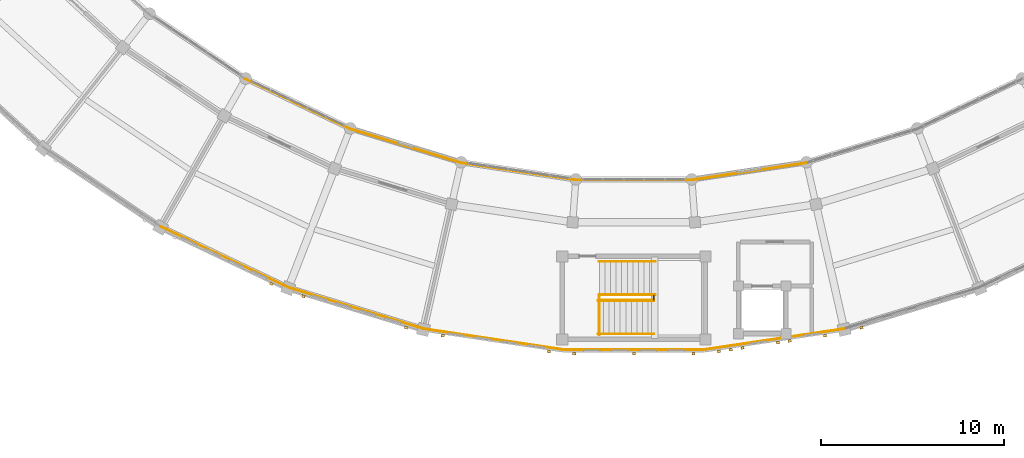
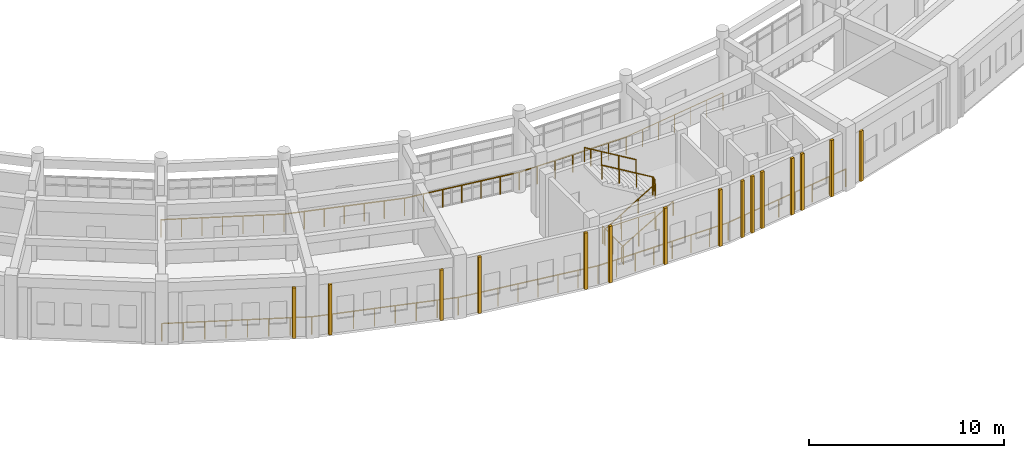
# One storey, part 145 of 159: 17 railings, 15 coverings.
"""IFC4 building model written with IfcOpenShell, lengths in metres."""

from ifc_helpers import new_model, si_unit, direction, frame, origin, origin_2d, place, context, subcontext, project, spatial, rectangle, circle, extrude, material, layer, layer_set, type_object, element, save


model = new_model("IFC4")

# Units and contexts
model_context = context("Model", 3, precision=1e-05, world=origin(), true_north=direction((0.0, 1.0)))
body_context = subcontext(model_context, "Body", "Model", "MODEL_VIEW")
ifc_project = project(units=[si_unit("LENGTHUNIT", "METRE"), si_unit("AREAUNIT", "SQUARE_METRE"), si_unit("VOLUMEUNIT", "CUBIC_METRE"), si_unit("PLANEANGLEUNIT", "RADIAN"), si_unit("MASSUNIT", "GRAM", prefix="KILO")], contexts=[model_context])

# Site, building, storey
site_placement = place(None, origin())
site = spatial("IfcSite", under=ifc_project, at=site_placement, CompositionType="ELEMENT")
building_placement = place(site_placement, origin())
building = spatial("IfcBuilding", under=site, at=building_placement, Name="Celadon Cloister-Ring School", CompositionType="ELEMENT")
storey_placement = place(building_placement, frame((0.0, 0.0, 4.5)))
storey = spatial("IfcBuildingStorey", under=building, at=storey_placement, Name="L01", CompositionType="ELEMENT", Elevation=4.5)

# Coverings
ifc_material_1 = material(Name="Perforated terracotta clay brick masonry", Category="masonry")
ifc_layer = layer(ifc_material_1, 0.139892578125)
ifc_layer_set = layer_set([ifc_layer], Name="Perforated terracotta clay brick masonry")
covering_type = type_object("IfcCoveringType", Name="CV-SC1", PredefinedType="CLADDING", material=ifc_layer_set)
for number, where, z_axis, x_axis, name in (
    (1, (67.2490234375, 10.77099609375, 0.0), (0.0, 0.0, 1.0), (-0.90274301428, 0.430180253114, 0.0), "Brick Screen Rib 0160"),
    (2, (74.591064453125, 8.382080078125, 0.0), (0.0, 0.0, 1.0), (-0.956345569432, 0.29223817654, 0.0), "Brick Screen Rib 0162"),
    (3, (68.99609375, 10.092041015625, 0.0), (0.0, 0.0, 1.0), (-0.956345569432, 0.29223817654, 0.0), "Brick Screen Rib 0163"),
):
    element("IfcCovering", number, at=place(storey_placement, frame(where, z_axis=z_axis, x_axis=x_axis)), inside=storey, type_object=covering_type, Name=name, PredefinedType="CLADDING", context=body_context, shape_type="SweptSolid", body=[
        extrude(rectangle(XDim=0.179931640625, YDim=0.139892578125, at=origin_2d()), origin(), (0.0, 0.0, 1.0), 3.152099609375),
    ])
for number, where, z_axis, x_axis, name in (
    (4, (82.37109375, 7.080078125, 0.0), (0.0, 0.0, 1.0), (-0.989036491808, 0.147671317024, 0.0), "Brick Screen Rib 0164"),
    (5, (76.5849609375, 7.944091796875, 0.0), (0.0, 0.0, 1.0), (-0.989036491808, 0.147671317024, 0.0), "Brick Screen Rib 0165"),
    (6, (90.259033203125, 6.966064453125, 0.0), (0.0, 0.0, 1.0), (-1.0, 0.0, 0.0), "Brick Screen Rib 0166"),
    (7, (87.009033203125, 6.966064453125, 0.0), (0.0, 0.0, 1.0), (-1.0, 0.0, 0.0), "Brick Screen Rib 0167"),
    (8, (83.759033203125, 6.966064453125, 0.0), (0.0, 0.0, 1.0), (-1.0, 0.0, 0.0), "Brick Screen Rib 0168"),
    (9, (97.424072265625, 7.945068359375, 0.0), (0.0, 0.0, 1.0), (-0.989041645907, -0.147636793048, 0.0), "Brick Screen Rib 0169"),
    (10, (95.4951171875, 7.656982421875, 0.0), (0.0, 0.0, 1.0), (-0.989041645907, -0.147636793048, 0.0), "Brick Screen Rib 0170"),
    (11, (94.85205078125, 7.56103515625, 0.0), (0.0, 0.0, 1.0), (-0.989041645907, -0.147636793048, 0.0), "Brick Screen Rib 0171"),
    (12, (92.923095703125, 7.27392578125, 0.0), (0.0, 0.0, 1.0), (-0.989041645907, -0.147636793048, 0.0), "Brick Screen Rib 0172"),
    (13, (92.281005859375, 7.177978515625, 0.0), (0.0, 0.0, 1.0), (-0.989041645907, -0.147636793048, 0.0), "Brick Screen Rib 0173"),
    (14, (91.637939453125, 7.08203125, 0.0), (0.0, 0.0, 1.0), (-0.989041645907, -0.147636793048, 0.0), "Brick Screen Rib 0174"),
):
    element("IfcCovering", number, at=place(storey_placement, frame(where, z_axis=z_axis, x_axis=x_axis)), inside=storey, type_object=covering_type, Name=name, PredefinedType="CLADDING", context=body_context, shape_type="SweptSolid", body=[
        extrude(rectangle(XDim=0.179931640625, YDim=0.139892578125, at=origin_2d()), origin(), (0.0, 0.0, 1.0), 3.530029296875),
    ])
covering_placement = place(storey_placement, frame((99.408935546875, 8.382080078125, 0.0), z_axis=(0.0, 0.0, 1.0), x_axis=(-0.956345569432, -0.29223817654, 0.0)))
element("IfcCovering", 15, at=covering_placement, inside=storey, type_object=covering_type, Name="Brick Screen Rib 0176", PredefinedType="CLADDING", context=body_context, shape_type="SweptSolid", body=[
    extrude(rectangle(XDim=0.179931640625, YDim=0.139892578125, at=origin_2d()), origin(), (0.0, 0.0, 1.0), 3.152099609375),
])

# Railings
ifc_material_2 = material(Name="Structural steel S355JR", Category="steel")
railing_type_1 = type_object("IfcRailingType", Name="RL-BL1", PredefinedType="BALUSTRADE", material=ifc_material_2)
railing_1_placement = place(storey_placement, frame((61.22802734375, 13.882080078125, 0.0)))
element("IfcRailing", 16, at=railing_1_placement, inside=storey, type_object=railing_type_1, Name="Terrace Balustrade 0015", PredefinedType="BALUSTRADE", context=body_context, shape_type="SweptSolid", body=[
    extrude(circle(Radius=0.02392578125, at=origin_2d()), frame((0.0, 0.0, 1.09619140625), z_axis=(0.902686900331, -0.430297989736, 0.0), x_axis=(0.430297989736, 0.902686900331, 0.0)), (0.0, 0.0, 1.0), 7.697021484375),
    extrude(circle(Radius=0.02099609375, at=origin_2d()), origin(), (0.0, 0.0, 1.0), 1.072021484375),
    extrude(circle(Radius=0.02099609375, at=origin_2d()), frame((0.99267578125, -0.47314453125, 0.0)), (0.0, 0.0, 1.0), 1.072021484375),
    extrude(circle(Radius=0.02099609375, at=origin_2d()), frame((1.985107421875, -0.9462890625, 0.0)), (0.0, 0.0, 1.0), 1.072021484375),
    extrude(circle(Radius=0.02099609375, at=origin_2d()), frame((2.977783203125, -1.41943359375, 0.0)), (0.0, 0.0, 1.0), 1.072021484375),
    extrude(circle(Radius=0.02099609375, at=origin_2d()), frame((3.97021484375, -1.892578125, 0.0)), (0.0, 0.0, 1.0), 1.072021484375),
    extrude(circle(Radius=0.02099609375, at=origin_2d()), frame((4.962890625, -2.36572265625, 0.0)), (0.0, 0.0, 1.0), 1.072021484375),
    extrude(circle(Radius=0.02099609375, at=origin_2d()), frame((5.955322265625, -2.8388671875, 0.0)), (0.0, 0.0, 1.0), 1.072021484375),
    extrude(circle(Radius=0.02099609375, at=origin_2d()), frame((6.947998046875, -3.31201171875, 0.0)), (0.0, 0.0, 1.0), 1.072021484375),
])
railing_2_placement = place(storey_placement, frame((68.176025390625, 10.570068359375, 0.0)))
element("IfcRailing", 17, at=railing_2_placement, inside=storey, type_object=railing_type_1, Name="Terrace Balustrade 0016", PredefinedType="BALUSTRADE", context=body_context, shape_type="SweptSolid", body=[
    extrude(circle(Radius=0.02392578125, at=origin_2d()), frame((0.0, 0.0, 1.09619140625), z_axis=(0.95633408974, -0.29227574104, 0.0), x_axis=(0.29227574104, 0.95633408974, 0.0)), (0.0, 0.0, 1.0), 7.6982421875),
    extrude(circle(Radius=0.02099609375, at=origin_2d()), origin(), (0.0, 0.0, 1.0), 1.072021484375),
    extrude(circle(Radius=0.02099609375, at=origin_2d()), frame((1.0517578125, -0.321533203125, 0.0)), (0.0, 0.0, 1.0), 1.072021484375),
    extrude(circle(Radius=0.02099609375, at=origin_2d()), frame((2.103515625, -0.642822265625, 0.0)), (0.0, 0.0, 1.0), 1.072021484375),
    extrude(circle(Radius=0.02099609375, at=origin_2d()), frame((3.1552734375, -0.96435546875, 0.0)), (0.0, 0.0, 1.0), 1.072021484375),
    extrude(circle(Radius=0.02099609375, at=origin_2d()), frame((4.206787109375, -1.28564453125, 0.0)), (0.0, 0.0, 1.0), 1.072021484375),
    extrude(circle(Radius=0.02099609375, at=origin_2d()), frame((5.258544921875, -1.607177734375, 0.0)), (0.0, 0.0, 1.0), 1.072021484375),
    extrude(circle(Radius=0.02099609375, at=origin_2d()), frame((6.310302734375, -1.928466796875, 0.0)), (0.0, 0.0, 1.0), 1.072021484375),
    extrude(circle(Radius=0.02099609375, at=origin_2d()), frame((7.362060546875, -2.25, 0.0)), (0.0, 0.0, 1.0), 1.072021484375),
])
railing_3_placement = place(storey_placement, frame((75.5380859375, 8.320068359375, 0.0)))
element("IfcRailing", 18, at=railing_3_placement, inside=storey, type_object=railing_type_1, Name="Terrace Balustrade 0017", PredefinedType="BALUSTRADE", context=body_context, shape_type="SweptSolid", body=[
    extrude(circle(Radius=0.02392578125, at=origin_2d()), frame((0.0, 0.0, 1.09619140625), z_axis=(0.989030608427, -0.147710715908, 0.0), x_axis=(0.147710715908, 0.989030608427, 0.0)), (0.0, 0.0, 1.0), 7.697265625),
    extrude(circle(Radius=0.02099609375, at=origin_2d()), origin(), (0.0, 0.0, 1.0), 1.072021484375),
    extrude(circle(Radius=0.02099609375, at=origin_2d()), frame((1.087646484375, -0.162353515625, 0.0)), (0.0, 0.0, 1.0), 1.072021484375),
    extrude(circle(Radius=0.02099609375, at=origin_2d()), frame((2.175048828125, -0.324951171875, 0.0)), (0.0, 0.0, 1.0), 1.072021484375),
    extrude(circle(Radius=0.02099609375, at=origin_2d()), frame((3.2626953125, -0.4873046875, 0.0)), (0.0, 0.0, 1.0), 1.072021484375),
    extrude(circle(Radius=0.02099609375, at=origin_2d()), frame((4.35009765625, -0.649658203125, 0.0)), (0.0, 0.0, 1.0), 1.072021484375),
    extrude(circle(Radius=0.02099609375, at=origin_2d()), frame((5.437744140625, -0.81201171875, 0.0)), (0.0, 0.0, 1.0), 1.072021484375),
    extrude(circle(Radius=0.02099609375, at=origin_2d()), frame((6.525146484375, -0.974609375, 0.0)), (0.0, 0.0, 1.0), 1.072021484375),
    extrude(circle(Radius=0.02099609375, at=origin_2d()), frame((7.61279296875, -1.136962890625, 0.0)), (0.0, 0.0, 1.0), 1.072021484375),
])
railing_4_placement = place(storey_placement, frame((83.15087890625, 7.18310546875, 0.0)))
element("IfcRailing", 19, at=railing_4_placement, inside=storey, type_object=railing_type_1, Name="Terrace Balustrade 0018", PredefinedType="BALUSTRADE", context=body_context, shape_type="SweptSolid", body=[
    extrude(circle(Radius=0.02392578125, at=origin_2d()), frame((0.0, 0.0, 1.09619140625), z_axis=(1.0, 0.0, 0.0), x_axis=(0.0, 1.0, 0.0)), (0.0, 0.0, 1.0), 7.6982421875),
    extrude(circle(Radius=0.02099609375, at=origin_2d()), origin(), (0.0, 0.0, 1.0), 1.072021484375),
    extrude(circle(Radius=0.02099609375, at=origin_2d()), frame((1.099853515625, 0.0, 0.0)), (0.0, 0.0, 1.0), 1.072021484375),
    extrude(circle(Radius=0.02099609375, at=origin_2d()), frame((2.199462890625, 0.0, 0.0)), (0.0, 0.0, 1.0), 1.072021484375),
    extrude(circle(Radius=0.02099609375, at=origin_2d()), frame((3.29931640625, 0.0, 0.0)), (0.0, 0.0, 1.0), 1.072021484375),
    extrude(circle(Radius=0.02099609375, at=origin_2d()), frame((4.39892578125, 0.0, 0.0)), (0.0, 0.0, 1.0), 1.072021484375),
    extrude(circle(Radius=0.02099609375, at=origin_2d()), frame((5.498779296875, 0.0, 0.0)), (0.0, 0.0, 1.0), 1.072021484375),
    extrude(circle(Radius=0.02099609375, at=origin_2d()), frame((6.598388671875, 0.0, 0.0)), (0.0, 0.0, 1.0), 1.072021484375),
    extrude(circle(Radius=0.02099609375, at=origin_2d()), frame((7.6982421875, 0.0, 0.0)), (0.0, 0.0, 1.0), 1.072021484375),
])
railing_5_placement = place(storey_placement, frame((90.84912109375, 7.18310546875, 0.0)))
element("IfcRailing", 20, at=railing_5_placement, inside=storey, type_object=railing_type_1, Name="Terrace Balustrade 0019", PredefinedType="BALUSTRADE", context=body_context, shape_type="SweptSolid", body=[
    extrude(circle(Radius=0.02392578125, at=origin_2d()), frame((0.0, 0.0, 1.09619140625), z_axis=(0.989030608427, 0.147710715908, 0.0), x_axis=(-0.147710715908, 0.989030608427, 0.0)), (0.0, 0.0, 1.0), 7.697265625),
    extrude(circle(Radius=0.02099609375, at=origin_2d()), origin(), (0.0, 0.0, 1.0), 1.072021484375),
    extrude(circle(Radius=0.02099609375, at=origin_2d()), frame((1.087646484375, 0.162353515625, 0.0)), (0.0, 0.0, 1.0), 1.072021484375),
    extrude(circle(Radius=0.02099609375, at=origin_2d()), frame((2.175048828125, 0.324951171875, 0.0)), (0.0, 0.0, 1.0), 1.072021484375),
    extrude(circle(Radius=0.02099609375, at=origin_2d()), frame((3.2626953125, 0.4873046875, 0.0)), (0.0, 0.0, 1.0), 1.072021484375),
    extrude(circle(Radius=0.02099609375, at=origin_2d()), frame((4.35009765625, 0.649658203125, 0.0)), (0.0, 0.0, 1.0), 1.072021484375),
    extrude(circle(Radius=0.02099609375, at=origin_2d()), frame((5.437744140625, 0.81201171875, 0.0)), (0.0, 0.0, 1.0), 1.072021484375),
    extrude(circle(Radius=0.02099609375, at=origin_2d()), frame((6.525146484375, 0.974609375, 0.0)), (0.0, 0.0, 1.0), 1.072021484375),
    extrude(circle(Radius=0.02099609375, at=origin_2d()), frame((7.61279296875, 1.136962890625, 0.0)), (0.0, 0.0, 1.0), 1.072021484375),
])
railing_6_placement = place(storey_placement, frame((65.825927734375, 21.930908203125, 0.0)))
element("IfcRailing", 21, at=railing_6_placement, inside=storey, type_object=railing_type_1, Name="Terrace Balustrade 0050", PredefinedType="BALUSTRADE", context=body_context, shape_type="SweptSolid", body=[
    extrude(circle(Radius=0.02392578125, at=origin_2d()), frame((0.0, 0.0, 1.09619140625), z_axis=(0.902685596097, -0.43030072577, 0.0), x_axis=(0.43030072577, 0.902685596097, 0.0)), (0.0, 0.0, 1.0), 6.3232421875),
    extrude(circle(Radius=0.02099609375, at=origin_2d()), origin(), (0.0, 0.0, 1.0), 1.072021484375),
    extrude(circle(Radius=0.02099609375, at=origin_2d()), frame((0.951416015625, -0.45361328125, 0.0)), (0.0, 0.0, 1.0), 1.072021484375),
    extrude(circle(Radius=0.02099609375, at=origin_2d()), frame((1.902587890625, -0.906982421875, 0.0)), (0.0, 0.0, 1.0), 1.072021484375),
    extrude(circle(Radius=0.02099609375, at=origin_2d()), frame((2.85400390625, -1.3603515625, 0.0)), (0.0, 0.0, 1.0), 1.072021484375),
    extrude(circle(Radius=0.02099609375, at=origin_2d()), frame((3.805419921875, -1.81396484375, 0.0)), (0.0, 0.0, 1.0), 1.072021484375),
    extrude(circle(Radius=0.02099609375, at=origin_2d()), frame((4.756591796875, -2.267578125, 0.0)), (0.0, 0.0, 1.0), 1.072021484375),
    extrude(circle(Radius=0.02099609375, at=origin_2d()), frame((5.7080078125, -2.720947265625, 0.0)), (0.0, 0.0, 1.0), 1.072021484375),
])
railing_7_placement = place(storey_placement, frame((71.533935546875, 19.2099609375, 0.0)))
element("IfcRailing", 22, at=railing_7_placement, inside=storey, type_object=railing_type_1, Name="Terrace Balustrade 0051", PredefinedType="BALUSTRADE", context=body_context, shape_type="SweptSolid", body=[
    extrude(circle(Radius=0.02392578125, at=origin_2d()), frame((0.0, 0.0, 1.09619140625), z_axis=(0.956370446396, -0.292156754602, 0.0), x_axis=(0.292156754602, 0.956370446396, 0.0)), (0.0, 0.0, 1.0), 6.324951171875),
    extrude(circle(Radius=0.02099609375, at=origin_2d()), origin(), (0.0, 0.0, 1.0), 1.072021484375),
    extrude(circle(Radius=0.02099609375, at=origin_2d()), frame((1.00830078125, -0.30810546875, 0.0)), (0.0, 0.0, 1.0), 1.072021484375),
    extrude(circle(Radius=0.02099609375, at=origin_2d()), frame((2.016357421875, -0.615966796875, 0.0)), (0.0, 0.0, 1.0), 1.072021484375),
    extrude(circle(Radius=0.02099609375, at=origin_2d()), frame((3.0244140625, -0.923828125, 0.0)), (0.0, 0.0, 1.0), 1.072021484375),
    extrude(circle(Radius=0.02099609375, at=origin_2d()), frame((4.03271484375, -1.23193359375, 0.0)), (0.0, 0.0, 1.0), 1.072021484375),
    extrude(circle(Radius=0.02099609375, at=origin_2d()), frame((5.041015625, -1.5400390625, 0.0)), (0.0, 0.0, 1.0), 1.072021484375),
    extrude(circle(Radius=0.02099609375, at=origin_2d()), frame((6.049072265625, -1.847900390625, 0.0)), (0.0, 0.0, 1.0), 1.072021484375),
])
railing_8_placement = place(storey_placement, frame((77.5830078125, 17.362060546875, 0.0)))
element("IfcRailing", 23, at=railing_8_placement, inside=storey, type_object=railing_type_1, Name="Terrace Balustrade 0052", PredefinedType="BALUSTRADE", context=body_context, shape_type="SweptSolid", body=[
    extrude(circle(Radius=0.02392578125, at=origin_2d()), frame((0.0, 0.0, 1.09619140625), z_axis=(0.989009850567, -0.147849638082, 0.0), x_axis=(0.147849638082, 0.989009850567, 0.0)), (0.0, 0.0, 1.0), 6.324462890625),
    extrude(circle(Radius=0.02099609375, at=origin_2d()), origin(), (0.0, 0.0, 1.0), 1.072021484375),
    extrude(circle(Radius=0.02099609375, at=origin_2d()), frame((1.04248046875, -0.15576171875, 0.0)), (0.0, 0.0, 1.0), 1.072021484375),
    extrude(circle(Radius=0.02099609375, at=origin_2d()), frame((2.0849609375, -0.311767578125, 0.0)), (0.0, 0.0, 1.0), 1.072021484375),
    extrude(circle(Radius=0.02099609375, at=origin_2d()), frame((3.12744140625, -0.467529296875, 0.0)), (0.0, 0.0, 1.0), 1.072021484375),
    extrude(circle(Radius=0.02099609375, at=origin_2d()), frame((4.169921875, -0.623291015625, 0.0)), (0.0, 0.0, 1.0), 1.072021484375),
    extrude(circle(Radius=0.02099609375, at=origin_2d()), frame((5.21240234375, -0.779296875, 0.0)), (0.0, 0.0, 1.0), 1.072021484375),
    extrude(circle(Radius=0.02099609375, at=origin_2d()), frame((6.2548828125, -0.93505859375, 0.0)), (0.0, 0.0, 1.0), 1.072021484375),
])
railing_9_placement = place(storey_placement, frame((83.837890625, 16.427001953125, 0.0)))
element("IfcRailing", 24, at=railing_9_placement, inside=storey, type_object=railing_type_1, Name="Terrace Balustrade 0053", PredefinedType="BALUSTRADE", context=body_context, shape_type="SweptSolid", body=[
    extrude(circle(Radius=0.02392578125, at=origin_2d()), frame((0.0, 0.0, 1.09619140625), z_axis=(1.0, 0.0, 0.0), x_axis=(0.0, 1.0, 0.0)), (0.0, 0.0, 1.0), 6.32421875),
    extrude(circle(Radius=0.02099609375, at=origin_2d()), origin(), (0.0, 0.0, 1.0), 1.072021484375),
    extrude(circle(Radius=0.02099609375, at=origin_2d()), frame((1.053955078125, 0.0, 0.0)), (0.0, 0.0, 1.0), 1.072021484375),
    extrude(circle(Radius=0.02099609375, at=origin_2d()), frame((2.108154296875, 0.0, 0.0)), (0.0, 0.0, 1.0), 1.072021484375),
    extrude(circle(Radius=0.02099609375, at=origin_2d()), frame((3.162109375, 0.0, 0.0)), (0.0, 0.0, 1.0), 1.072021484375),
    extrude(circle(Radius=0.02099609375, at=origin_2d()), frame((4.216064453125, 0.0, 0.0)), (0.0, 0.0, 1.0), 1.072021484375),
    extrude(circle(Radius=0.02099609375, at=origin_2d()), frame((5.270263671875, 0.0, 0.0)), (0.0, 0.0, 1.0), 1.072021484375),
    extrude(circle(Radius=0.02099609375, at=origin_2d()), frame((6.32421875, 0.0, 0.0)), (0.0, 0.0, 1.0), 1.072021484375),
])
railing_10_placement = place(storey_placement, frame((90.162109375, 16.427001953125, 0.0)))
element("IfcRailing", 25, at=railing_10_placement, inside=storey, type_object=railing_type_1, Name="Terrace Balustrade 0054", PredefinedType="BALUSTRADE", context=body_context, shape_type="SweptSolid", body=[
    extrude(circle(Radius=0.02392578125, at=origin_2d()), frame((0.0, 0.0, 1.09619140625), z_axis=(0.989009850567, 0.147849638082, 0.0), x_axis=(-0.147849638082, 0.989009850567, 0.0)), (0.0, 0.0, 1.0), 6.324462890625),
    extrude(circle(Radius=0.02099609375, at=origin_2d()), origin(), (0.0, 0.0, 1.0), 1.072021484375),
    extrude(circle(Radius=0.02099609375, at=origin_2d()), frame((1.04248046875, 0.15576171875, 0.0)), (0.0, 0.0, 1.0), 1.072021484375),
    extrude(circle(Radius=0.02099609375, at=origin_2d()), frame((2.0849609375, 0.311767578125, 0.0)), (0.0, 0.0, 1.0), 1.072021484375),
    extrude(circle(Radius=0.02099609375, at=origin_2d()), frame((3.12744140625, 0.467529296875, 0.0)), (0.0, 0.0, 1.0), 1.072021484375),
    extrude(circle(Radius=0.02099609375, at=origin_2d()), frame((4.169921875, 0.623291015625, 0.0)), (0.0, 0.0, 1.0), 1.072021484375),
    extrude(circle(Radius=0.02099609375, at=origin_2d()), frame((5.21240234375, 0.779296875, 0.0)), (0.0, 0.0, 1.0), 1.072021484375),
    extrude(circle(Radius=0.02099609375, at=origin_2d()), frame((6.2548828125, 0.93505859375, 0.0)), (0.0, 0.0, 1.0), 1.072021484375),
])
ifc_material_3 = material(Name="Structural steel S355JR", Category="steel")
railing_type_2 = type_object("IfcRailingType", Name="RL-BL2", PredefinedType="BALUSTRADE", material=ifc_material_3)
railing_11_placement = place(storey_placement, frame((88.090087890625, 9.889892578125, 2.0)))
element("IfcRailing", 26, at=railing_11_placement, inside=storey, type_object=railing_type_2, Name="Interior Guard 0220", PredefinedType="BALUSTRADE", context=body_context, shape_type="SweptSolid", body=[
    extrude(circle(Radius=0.02392578125, at=origin_2d()), frame((0.0, 0.0, 1.09619140625), z_axis=(0.0, 1.0, 0.0), x_axis=(-1.0, 0.0, 0.0)), (0.0, 0.0, 1.0), 0.239990234375),
    extrude(circle(Radius=0.02099609375, at=origin_2d()), origin(), (0.0, 0.0, 1.0), 1.072021484375),
    extrude(circle(Radius=0.02099609375, at=origin_2d()), frame((0.0, 0.239990234375, 0.0)), (0.0, 0.0, 1.0), 1.072021484375),
])
railing_12_placement = place(storey_placement, frame((85.1201171875, 7.989990234375, 0.0)))
element("IfcRailing", 27, at=railing_12_placement, inside=storey, type_object=railing_type_2, Name="Interior Guard 0221", PredefinedType="BALUSTRADE", context=body_context, shape_type="SweptSolid", body=[
    extrude(circle(Radius=0.02392578125, at=origin_2d()), frame((0.0, 0.0, 1.09619140625), z_axis=(0.0, 1.0, 0.0), x_axis=(-1.0, 0.0, 0.0)), (0.0, 0.0, 1.0), 2.139892578125),
    extrude(circle(Radius=0.02099609375, at=origin_2d()), origin(), (0.0, 0.0, 1.0), 1.072021484375),
    extrude(circle(Radius=0.02099609375, at=origin_2d()), frame((0.0, 1.06982421875, 0.0)), (0.0, 0.0, 1.0), 1.072021484375),
    extrude(circle(Radius=0.02099609375, at=origin_2d()), frame((0.0, 2.139892578125, 0.0)), (0.0, 0.0, 1.0), 1.072021484375),
])
railing_13_placement = place(storey_placement, frame((85.1201171875, 9.889892578125, 0.0)))
element("IfcRailing", 28, at=railing_13_placement, inside=storey, type_object=railing_type_2, Name="Interior Guard 0222", PredefinedType="BALUSTRADE", context=body_context, shape_type="SweptSolid", body=[
    extrude(circle(Radius=0.02392578125, at=origin_2d()), frame((0.0, 0.0, 1.09619140625), z_axis=(1.0, 0.0, 0.0), x_axis=(0.0, 1.0, 0.0)), (0.0, 0.0, 1.0), 2.969970703125),
    extrude(circle(Radius=0.02099609375, at=origin_2d()), origin(), (0.0, 0.0, 1.0), 1.072021484375),
    extrude(circle(Radius=0.02099609375, at=origin_2d()), frame((0.989990234375, 0.0, 0.0)), (0.0, 0.0, 1.0), 1.072021484375),
    extrude(circle(Radius=0.02099609375, at=origin_2d()), frame((1.97998046875, 0.0, 0.0)), (0.0, 0.0, 1.0), 1.072021484375),
    extrude(circle(Radius=0.02099609375, at=origin_2d()), frame((2.969970703125, 0.0, 0.0)), (0.0, 0.0, 1.0), 1.072021484375),
])
ifc_material_4 = material(Name="Structural steel S355JR", Category="steel")
railing_type_3 = type_object("IfcRailingType", Name="RL-HR1", PredefinedType="HANDRAIL", material=ifc_material_4)
for number, where, name in (
    (29, (85.0400390625, 8.034912109375, 0.181884765625), "Stair Handrail 0216"),
    (30, (85.0400390625, 9.844970703125, 0.181884765625), "Stair Handrail 0217"),
):
    element("IfcRailing", number, at=place(storey_placement, frame(where)), inside=storey, type_object=railing_type_3, Name=name, PredefinedType="HANDRAIL", context=body_context, shape_type="SweptSolid", body=[
        extrude(circle(Radius=0.02099609375, at=origin_2d()), frame((0.0, 0.0, 0.87890625), z_axis=(0.858969654429, 0.0, 0.51202649616), x_axis=(0.0, 1.0, 0.0)), (0.0, 0.0, 1.0), 3.55078125),
        extrude(circle(Radius=0.01806640625, at=origin_2d()), origin(), (0.0, 0.0, 1.0), 0.85791015625),
        extrude(circle(Radius=0.01806640625, at=origin_2d()), frame((1.0166015625, 0.0, 0.60595703125)), (0.0, 0.0, 1.0), 0.85791015625),
        extrude(circle(Radius=0.01806640625, at=origin_2d()), frame((2.033447265625, 0.0, 1.212158203125)), (0.0, 0.0, 1.0), 0.85791015625),
        extrude(circle(Radius=0.01806640625, at=origin_2d()), frame((3.050048828125, 0.0, 1.818115234375)), (0.0, 0.0, 1.0), 0.85791015625),
    ])
for number, where, name in (
    (31, (88.169921875, 11.985107421875, 2.181884765625), "Stair Handrail 0218"),
    (32, (88.169921875, 10.175048828125, 2.181884765625), "Stair Handrail 0219"),
):
    element("IfcRailing", number, at=place(storey_placement, frame(where)), inside=storey, type_object=railing_type_3, Name=name, PredefinedType="HANDRAIL", context=body_context, shape_type="SweptSolid", body=[
        extrude(circle(Radius=0.02099609375, at=origin_2d()), frame((0.0, 0.0, 0.87890625), z_axis=(-0.858951626974, 0.0, 0.512056737598), x_axis=(0.0, -1.0, 0.0)), (0.0, 0.0, 1.0), 3.550537109375),
        extrude(circle(Radius=0.01806640625, at=origin_2d()), origin(), (0.0, 0.0, 1.0), 0.85791015625),
        extrude(circle(Radius=0.01806640625, at=origin_2d()), frame((-1.0166015625, 0.0, 0.60595703125)), (0.0, 0.0, 1.0), 0.85791015625),
        extrude(circle(Radius=0.01806640625, at=origin_2d()), frame((-2.033203125, 0.0, 1.212158203125)), (0.0, 0.0, 1.0), 0.85791015625),
        extrude(circle(Radius=0.01806640625, at=origin_2d()), frame((-3.0498046875, 0.0, 1.818115234375)), (0.0, 0.0, 1.0), 0.85791015625),
    ])

save(model, "model.ifc")
